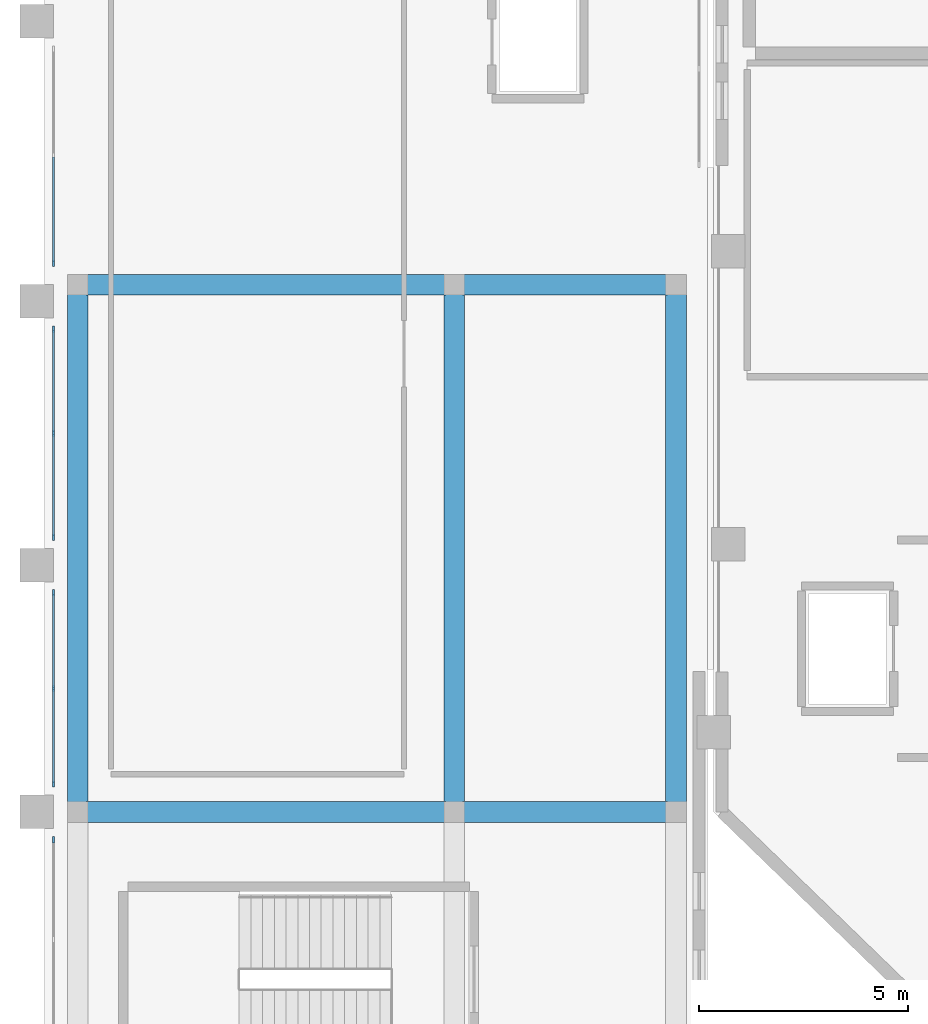
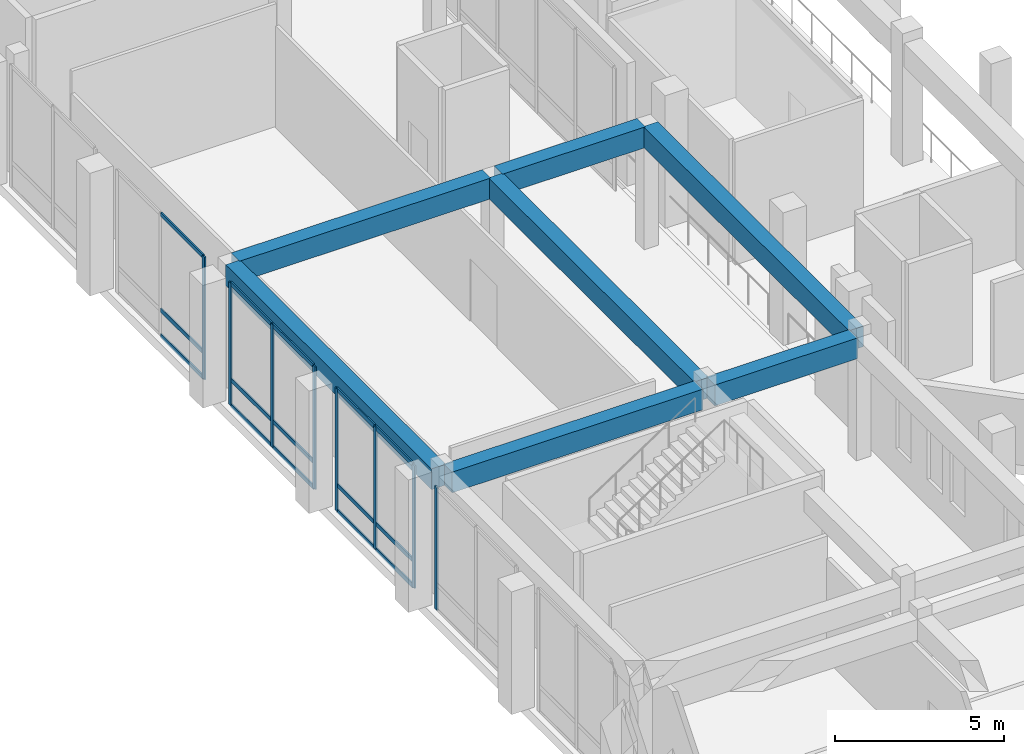
# One storey, part 10 of 79: 23 members, 7 beams, 4 elements without a shape of their own.
"""IFC4 building model written with IfcOpenShell, lengths in metres."""

import ifcopenshell
import ifcopenshell.guid

model = None  # the IFC model being written
_history = None  # IfcOwnerHistory: only IFC2X3 demands one
_inside = {}  # id of a spatial element -> (the spatial element, [elements in it])
_under = {}  # id of a project, library or spatial element -> (it, [spatial elements below it])
_declared = {}  # id of a project -> (the project, [libraries it declares])
_typed = {}  # id of a type object -> (the type object, [elements of that type])
_made_of = {}  # id of a material, layer set ... -> (it, [elements and type objects made of it])


def new_model(schema):
    """Start an empty IFC model of exactly this schema.

    Asked for "IFC4X3", IfcOpenShell would pick the latest addendum, in which some entities
    have other attributes; the version numbers below select the first issue.
    IFC2X3 requires an IfcOwnerHistory on every rooted entity: one is made here for all.
    """
    global model, _history
    if schema == "IFC4X3":
        model = ifcopenshell.file(schema_version=(4, 3, 0, 0))
    else:
        model = ifcopenshell.file(schema=schema)
    _inside.clear()
    _under.clear()
    _declared.clear()
    _typed.clear()
    _made_of.clear()
    _history = None
    if model.schema == "IFC2X3":
        org = make("IfcOrganization", Name="unknown")
        user = make(
            "IfcPersonAndOrganization",
            ThePerson=make("IfcPerson", FamilyName="unknown"),
            TheOrganization=org,
        )
        app = make(
            "IfcApplication",
            ApplicationDeveloper=org,
            Version="unknown",
            ApplicationFullName="unknown",
            ApplicationIdentifier="unknown",
        )
        _history = make(
            "IfcOwnerHistory",
            OwningUser=user,
            OwningApplication=app,
            ChangeAction="ADDED",
            CreationDate=0,
        )
    return model


def make(cls, **values):
    """One entity of the class cls with the attributes given. An attribute that is None is left unset."""
    return model.create_entity(
        cls, **{name: value for name, value in values.items() if value is not None}
    )


def rooted(cls, **values):
    """An entity with a GlobalId (a new one), such as an element, a storey or a relation."""
    return make(cls, GlobalId=ifcopenshell.guid.new(), OwnerHistory=_history, **values)


def si_unit(unit_type, name, prefix=None):
    """IfcSIUnit, for example si_unit("LENGTHUNIT", "METRE", prefix="MILLI")."""
    return make("IfcSIUnit", UnitType=unit_type, Prefix=prefix, Name=name)


def derived_unit(unit_type, elements):
    """IfcDerivedUnit: a product of units, each with its exponent."""
    return make(
        "IfcDerivedUnit",
        Elements=[
            make("IfcDerivedUnitElement", Unit=unit, Exponent=power)
            for unit, power in elements
        ],
        UnitType=unit_type,
    )


def assignment(units):
    """IfcUnitAssignment: the units of a project."""
    return None if units is None else make("IfcUnitAssignment", Units=units)


def point(xyz):
    """IfcCartesianPoint."""
    return None if xyz is None else make("IfcCartesianPoint", Coordinates=xyz)


def direction(xyz):
    """IfcDirection."""
    return None if xyz is None else make("IfcDirection", DirectionRatios=xyz)


def frame(location, z_axis=None, x_axis=None):
    """IfcAxis2Placement3D, a coordinate frame: its origin and axes. An axis left out is left unset."""
    return make(
        "IfcAxis2Placement3D",
        Location=point(location),
        Axis=direction(z_axis),
        RefDirection=direction(x_axis),
    )


def frame_2d(location, x_axis=None):
    """IfcAxis2Placement2D, a coordinate frame in the plane: its origin and x axis."""
    return make(
        "IfcAxis2Placement2D", Location=point(location), RefDirection=direction(x_axis)
    )


def origin():
    """The frame at (0, 0, 0) with its axes left unset."""
    return frame((0.0, 0.0, 0.0))


def origin_2d():
    """The frame at (0, 0) in the plane with its x axis left unset."""
    return frame_2d((0.0, 0.0))


def place(relative_to, where):
    """IfcLocalPlacement: puts the frame where relative to a parent placement (None: the world)."""
    return make(
        "IfcLocalPlacement", PlacementRelTo=relative_to, RelativePlacement=where
    )


def context(
    kind, dimensions, precision=None, world=None, true_north=None, identifier=None
):
    """IfcGeometricRepresentationContext, for example the 3D "Model" context."""
    return make(
        "IfcGeometricRepresentationContext",
        ContextIdentifier=identifier,
        ContextType=kind,
        CoordinateSpaceDimension=dimensions,
        Precision=precision,
        WorldCoordinateSystem=world,
        TrueNorth=true_north,
    )


def subcontext(parent, identifier, kind, view, scale=None):
    """IfcGeometricRepresentationSubContext, for example "Body" below "Model"."""
    return make(
        "IfcGeometricRepresentationSubContext",
        ContextIdentifier=identifier,
        ContextType=kind,
        ParentContext=parent,
        TargetScale=scale,
        TargetView=view,
    )


def project(units=None, contexts=None):
    """IfcProject with its units and contexts."""
    return rooted(
        "IfcProject",
        Name="project",
        RepresentationContexts=contexts,
        UnitsInContext=assignment(units),
    )


def spatial(cls, under=None, at=None, **own):
    """A site, building, storey or space (cls), placed at a placement, below another one or the project."""
    s = rooted(cls, ObjectPlacement=at, **own)
    if under is not None:
        _under.setdefault(under.id(), (under, []))[1].append(s)
    return s


def profile(cls, at=None, kind="AREA", **sizes):
    """A parametric profile (cls). Its sizes go by their IFC names, for example OverallWidth=200.0."""
    return make(cls, ProfileType=kind, Position=at, **sizes)


def rectangle(**sizes):
    """IfcRectangleProfileDef."""
    return profile("IfcRectangleProfileDef", **sizes)


def extrude(swept, where, along, depth):
    """IfcExtrudedAreaSolid: the profile swept, set in the frame where, extruded along a direction by depth."""
    return make(
        "IfcExtrudedAreaSolid",
        SweptArea=swept,
        Position=where,
        ExtrudedDirection=direction(along),
        Depth=depth,
    )


def shape(context_of_items, identifier, shape_type, items):
    """IfcShapeRepresentation: the items that make up one representation, for example the "Body"."""
    return make(
        "IfcShapeRepresentation",
        ContextOfItems=context_of_items,
        RepresentationIdentifier=identifier,
        RepresentationType=shape_type,
        Items=items,
    )


def material(Name=None, Category=None):
    """IfcMaterial."""
    return make("IfcMaterial", Name=Name, Category=Category)


def layer(
    of_material, thickness, ventilated=None, Name=None, Category=None, Priority=None
):
    """IfcMaterialLayer: one layer of a wall or slab, of a material (None: an air gap)."""
    return make(
        "IfcMaterialLayer",
        Material=of_material,
        LayerThickness=thickness,
        IsVentilated=ventilated,
        Name=Name,
        Category=Category,
        Priority=Priority,
    )


def layer_set(layers, Name=None):
    """IfcMaterialLayerSet."""
    return make("IfcMaterialLayerSet", MaterialLayers=layers, LayerSetName=Name)


def material_profile(
    of_material, cross_section, Name=None, Category=None, Priority=None
):
    """IfcMaterialProfile: a cross section and its material."""
    return make(
        "IfcMaterialProfile",
        Name=Name,
        Material=of_material,
        Profile=cross_section,
        Priority=Priority,
        Category=Category,
    )


def profile_set(profiles, Name=None, composite=None):
    """IfcMaterialProfileSet."""
    return make(
        "IfcMaterialProfileSet",
        Name=Name,
        MaterialProfiles=profiles,
        CompositeProfile=composite,
    )


def made_of(thing, what):
    """Note that an element or type object is made of a material, layer set ...; save() writes the relation."""
    if what is not None:
        _made_of.setdefault(what.id(), (what, []))[1].append(thing)
    return thing


def type_object(cls, material=None, **own):
    """A type object (cls), such as IfcWallType, which elements share."""
    return made_of(rooted(cls, **own), material)


def element(
    cls,
    number,
    at=None,
    inside=None,
    cuts=None,
    type_object=None,
    material=None,
    context=None,
    identifier="Body",
    shape_type=None,
    held_by="IfcProductDefinitionShape",
    body=None,
    shapes=None,
    **own,
):
    """One element of the class cls, such as IfcWall. Its Tag is "e" and its number.

    at: its placement. inside: the storey or other place that contains it. cuts: it is an
    opening in that element (IfcRelVoidsElement). A single representation is given by context,
    identifier, shape_type and body (its items); several are given by shapes. held_by: the class
    of the entity that holds the representations. save() writes the other relations.
    """
    e = rooted(cls, Tag="e%d" % number, ObjectPlacement=at, **own)
    if body is not None:
        shapes = [shape(context, identifier, shape_type, body)]
    if shapes is not None:
        e.Representation = make(held_by, Representations=shapes)
    if inside is not None:
        _inside.setdefault(inside.id(), (inside, []))[1].append(e)
    if cuts is not None:
        rooted(
            "IfcRelVoidsElement", RelatingBuildingElement=cuts, RelatedOpeningElement=e
        )
    if type_object is not None:
        _typed.setdefault(type_object.id(), (type_object, []))[1].append(e)
    return made_of(e, material)


def aggregate(whole, parts):
    """IfcRelAggregates: a whole, such as a stair, and the parts it consists of."""
    return rooted("IfcRelAggregates", RelatingObject=whole, RelatedObjects=parts)


def save(model, path):
    """Write the relations noted so far, then the file.

    IfcRelAggregates (storeys below a building ...), IfcRelContainedInSpatialStructure (elements
    in a storey), IfcRelDefinesByType, IfcRelAssociatesMaterial and IfcRelDeclares: one each for
    every whole, place, type object, material and project.
    """
    for whole, parts in _under.values():
        aggregate(whole, parts)
    for where, things in _inside.values():
        rooted(
            "IfcRelContainedInSpatialStructure",
            RelatedElements=things,
            RelatingStructure=where,
        )
    for kind, things in _typed.values():
        rooted("IfcRelDefinesByType", RelatedObjects=things, RelatingType=kind)
    for what, things in _made_of.values():
        rooted("IfcRelAssociatesMaterial", RelatedObjects=things, RelatingMaterial=what)
    for by, libraries in _declared.values():
        rooted("IfcRelDeclares", RelatingContext=by, RelatedDefinitions=libraries)
    model.write(path)


model = new_model("IFC4")

# Units and contexts
model_context = context("Model", 3, precision=1e-05, world=origin(), true_north=direction((0.0, 1.0)))
body_context = subcontext(model_context, "Body", "Model", "MODEL_VIEW")
ifc_project = project(units=[si_unit("LENGTHUNIT", "METRE"), si_unit("AREAUNIT", "SQUARE_METRE"), si_unit("VOLUMEUNIT", "CUBIC_METRE"), si_unit("PLANEANGLEUNIT", "RADIAN"), si_unit("MASSUNIT", "GRAM", prefix="KILO"), derived_unit("THERMALTRANSMITTANCEUNIT", [(si_unit("MASSUNIT", "GRAM", prefix="KILO"), 1), (si_unit("TIMEUNIT", "SECOND"), -3), (si_unit("THERMODYNAMICTEMPERATUREUNIT", "KELVIN"), -1)])], contexts=[model_context])

# Site, building, storey
site_placement = place(None, origin())
site = spatial("IfcSite", under=ifc_project, at=site_placement, CompositionType="ELEMENT")
building_placement = place(site_placement, origin())
building = spatial("IfcBuilding", under=site, at=building_placement, Name="Valcora Ridge Arena", CompositionType="ELEMENT")
storey_placement = place(building_placement, frame((0.0, 0.0, 16.199951171875)))
storey = spatial("IfcBuildingStorey", under=building, at=storey_placement, Name="L03", CompositionType="ELEMENT", Elevation=16.199951171875)

# Beams
ifc_material_1 = material(Name="Concrete C40/50", Category="concrete")
ifc_material_profile_1 = material_profile(ifc_material_1, rectangle(XDim=0.5, YDim=0.75, at=origin_2d()), Name="RC 500x750")
ifc_profile_set_1 = profile_set([ifc_material_profile_1], Name="Concrete C40/50")
beam_type_1 = type_object("IfcBeamType", Name="TY-BEAM-B-RC500-X", PredefinedType="BEAM", material=ifc_profile_set_1)
beam_1_placement = place(storey_placement, frame((1.0, 32.60009765625, 4.06494140625), z_axis=(1.0, 0.0, 0.0), x_axis=(0.0, 1.0, 0.0)))
element("IfcBeam", 1, at=beam_1_placement, inside=storey, type_object=beam_type_1, Name="B-RC500-X BEM-B-RC500-X-0085", PredefinedType="BEAM", context=body_context, shape_type="SweptSolid", body=[
    extrude(rectangle(XDim=0.5, YDim=0.75, at=origin_2d()), origin(), (0.0, 0.0, 1.0), 8.60009765625),
])
beam_2_placement = place(storey_placement, frame((10.0, 32.60009765625, 4.06494140625), z_axis=(1.0, 0.0, 0.0), x_axis=(0.0, 1.0, 0.0)))
element("IfcBeam", 2, at=beam_2_placement, inside=storey, type_object=beam_type_1, Name="B-RC500-X BEM-B-RC500-X-0086", PredefinedType="BEAM", context=body_context, shape_type="SweptSolid", body=[
    extrude(rectangle(XDim=0.5, YDim=0.75, at=origin_2d()), origin(), (0.0, 0.0, 1.0), 4.89990234375),
])
beam_3_placement = place(storey_placement, frame((1.0, 45.199951171875, 4.06494140625), z_axis=(1.0, 0.0, 0.0), x_axis=(0.0, 1.0, 0.0)))
element("IfcBeam", 3, at=beam_3_placement, inside=storey, type_object=beam_type_1, Name="B-RC500-X BEM-B-RC500-X-0087", PredefinedType="BEAM", context=body_context, shape_type="SweptSolid", body=[
    extrude(rectangle(XDim=0.5, YDim=0.75, at=origin_2d()), origin(), (0.0, 0.0, 1.0), 8.60009765625),
])
beam_4_placement = place(storey_placement, frame((10.0, 45.199951171875, 4.06494140625), z_axis=(1.0, 0.0, 0.0), x_axis=(0.0, 1.0, 0.0)))
element("IfcBeam", 4, at=beam_4_placement, inside=storey, type_object=beam_type_1, Name="B-RC500-X BEM-B-RC500-X-0088", PredefinedType="BEAM", context=body_context, shape_type="SweptSolid", body=[
    extrude(rectangle(XDim=0.5, YDim=0.75, at=origin_2d()), origin(), (0.0, 0.0, 1.0), 4.89990234375),
])
ifc_material_profile_2 = material_profile(ifc_material_1, rectangle(XDim=0.5, YDim=0.75, at=origin_2d()), Name="RC 500x750")
ifc_profile_set_2 = profile_set([ifc_material_profile_2], Name="Concrete C40/50")
beam_type_2 = type_object("IfcBeamType", Name="TY-BEAM-B-RC500-Y", PredefinedType="BEAM", material=ifc_profile_set_2)
for number, where, z_axis, x_axis, name in (
    (5, (0.800048828125, 32.800048828125, 4.06494140625), (0.0, 1.0, 0.0), (-1.0, 0.0, 0.0), "B-RC500-Y BEM-B-RC500-Y-0095"),
    (6, (9.800048828125, 32.800048828125, 4.06494140625), (0.0, 1.0, 0.0), (-1.0, 0.0, 0.0), "B-RC500-Y BEM-B-RC500-Y-0099"),
    (7, (15.10009765625, 32.800048828125, 4.06494140625), (0.0, 1.0, 0.0), (-1.0, 0.0, 0.0), "B-RC500-Y BEM-B-RC500-Y-0102"),
):
    element("IfcBeam", number, at=place(storey_placement, frame(where, z_axis=z_axis, x_axis=x_axis)), inside=storey, type_object=beam_type_2, Name=name, PredefinedType="BEAM", context=body_context, shape_type="SweptSolid", body=[
        extrude(rectangle(XDim=0.5, YDim=0.75, at=origin_2d()), origin(), (0.0, 0.0, 1.0), 12.199951171875),
    ])

# Curtain wall, member
ifc_material_2 = material(Name="Anodised dark bronze architectural aluminium 6063-T6", Category="aluminium")
ifc_layer_1 = layer(ifc_material_2, 0.14990234375, Name="Anodised dark bronze architectural aluminium 6063-T6")
ifc_layer_set_1 = layer_set([ifc_layer_1], Name="Anodised dark bronze architectural aluminium 6063-T6")
curtain_wall_type_1 = type_object("IfcCurtainWallType", Name="TY-CURTAINWALL-CW-V4-CLUB-048X44", PredefinedType="NOTDEFINED", material=ifc_layer_set_1)
curtain_wall_1_placement = place(storey_placement, origin())
curtain_wall_1 = element("IfcCurtainWall", 8, at=curtain_wall_1_placement, inside=storey, type_object=curtain_wall_type_1, Name="CW-V4-CLUB-048X44 CW-0286", PredefinedType="NOTDEFINED")
ifc_material_profile_3 = material_profile(ifc_material_2, rectangle(XDim=0.050048828125, YDim=0.14990234375, at=origin_2d()), Name="ALU MULLION 50x150")
ifc_profile_set_3 = profile_set([ifc_material_profile_3], Name="Anodised dark bronze architectural aluminium 6063-T6")
member_type_1 = type_object("IfcMemberType", Name="TY-MEM-CWM-50x150", PredefinedType="MULLION", material=ifc_profile_set_3)
member_1_placement = place(storey_placement, frame((0.219970703125, 31.93505859375, 0.0), z_axis=(0.0, 0.0, 1.0), x_axis=(-1.0, 0.0, 0.0)))
member_1 = element("IfcMember", 9, at=member_1_placement, type_object=member_type_1, Name="CW-0286/CWM-50x150/M02", PredefinedType="MULLION", context=body_context, shape_type="SweptSolid", body=[
    extrude(rectangle(XDim=0.050048828125, YDim=0.14990234375, at=origin_2d()), origin(), (0.0, 0.0, 1.0), 4.43994140625),
])
aggregate(curtain_wall_1, [member_1])

# Curtain wall, members
ifc_layer_2 = layer(ifc_material_2, 0.14990234375, Name="Anodised dark bronze architectural aluminium 6063-T6")
ifc_layer_set_2 = layer_set([ifc_layer_2], Name="Anodised dark bronze architectural aluminium 6063-T6")
curtain_wall_type_2 = type_object("IfcCurtainWallType", Name="TY-CURTAINWALL-CW-V4-CLUB-046X44", PredefinedType="NOTDEFINED", material=ifc_layer_set_2)
curtain_wall_2_placement = place(storey_placement, origin())
curtain_wall_2 = element("IfcCurtainWall", 10, at=curtain_wall_2_placement, inside=storey, type_object=curtain_wall_type_2, Name="CW-V4-CLUB-046X44 CW-0287", PredefinedType="NOTDEFINED")
member_2_placement = place(storey_placement, frame((0.219970703125, 33.264892578125, 0.0), z_axis=(0.0, 0.0, 1.0), x_axis=(-1.0, 0.0, 0.0)))
member_2 = element("IfcMember", 11, at=member_2_placement, type_object=member_type_1, Name="CW-0287/CWM-50x150/M00", PredefinedType="MULLION", context=body_context, shape_type="SweptSolid", body=[
    extrude(rectangle(XDim=0.050048828125, YDim=0.14990234375, at=origin_2d()), origin(), (0.0, 0.0, 1.0), 4.43994140625),
])
member_3_placement = place(storey_placement, frame((0.219970703125, 35.550048828125, 0.0), z_axis=(0.0, 0.0, 1.0), x_axis=(-1.0, 0.0, 0.0)))
member_3 = element("IfcMember", 12, at=member_3_placement, type_object=member_type_1, Name="CW-0287/CWM-50x150/M01", PredefinedType="MULLION", context=body_context, shape_type="SweptSolid", body=[
    extrude(rectangle(XDim=0.050048828125, YDim=0.14990234375, at=origin_2d()), origin(), (0.0, 0.0, 1.0), 4.43994140625),
])
member_4_placement = place(storey_placement, frame((0.219970703125, 37.8349609375, 0.0), z_axis=(0.0, 0.0, 1.0), x_axis=(-1.0, 0.0, 0.0)))
member_4 = element("IfcMember", 13, at=member_4_placement, type_object=member_type_1, Name="CW-0287/CWM-50x150/M02", PredefinedType="MULLION", context=body_context, shape_type="SweptSolid", body=[
    extrude(rectangle(XDim=0.050048828125, YDim=0.14990234375, at=origin_2d()), origin(), (0.0, 0.0, 1.0), 4.43994140625),
])

ifc_layer_3 = layer(ifc_material_2, 0.14990234375, Name="Anodised dark bronze architectural aluminium 6063-T6")
ifc_layer_set_3 = layer_set([ifc_layer_3], Name="Anodised dark bronze architectural aluminium 6063-T6")
curtain_wall_type_3 = type_object("IfcCurtainWallType", Name="TY-CURTAINWALL-CW-V4-CLUB-050X44", PredefinedType="NOTDEFINED", material=ifc_layer_set_3)
curtain_wall_3_placement = place(storey_placement, origin())
curtain_wall_3 = element("IfcCurtainWall", 14, at=curtain_wall_3_placement, inside=storey, type_object=curtain_wall_type_3, Name="CW-V4-CLUB-050X44 CW-0288", PredefinedType="NOTDEFINED")
member_5_placement = place(storey_placement, frame((0.219970703125, 39.1650390625, 0.0), z_axis=(0.0, 0.0, 1.0), x_axis=(-1.0, 0.0, 0.0)))
member_5 = element("IfcMember", 15, at=member_5_placement, type_object=member_type_1, Name="CW-0288/CWM-50x150/M00", PredefinedType="MULLION", context=body_context, shape_type="SweptSolid", body=[
    extrude(rectangle(XDim=0.050048828125, YDim=0.14990234375, at=origin_2d()), origin(), (0.0, 0.0, 1.0), 4.43994140625),
])
member_6_placement = place(storey_placement, frame((0.219970703125, 41.64990234375, 0.0), z_axis=(0.0, 0.0, 1.0), x_axis=(-1.0, 0.0, 0.0)))
member_6 = element("IfcMember", 16, at=member_6_placement, type_object=member_type_1, Name="CW-0288/CWM-50x150/M01", PredefinedType="MULLION", context=body_context, shape_type="SweptSolid", body=[
    extrude(rectangle(XDim=0.050048828125, YDim=0.14990234375, at=origin_2d()), origin(), (0.0, 0.0, 1.0), 4.43994140625),
])
member_7_placement = place(storey_placement, frame((0.219970703125, 44.135009765625, 0.0), z_axis=(0.0, 0.0, 1.0), x_axis=(-1.0, 0.0, 0.0)))
member_7 = element("IfcMember", 17, at=member_7_placement, type_object=member_type_1, Name="CW-0288/CWM-50x150/M02", PredefinedType="MULLION", context=body_context, shape_type="SweptSolid", body=[
    extrude(rectangle(XDim=0.050048828125, YDim=0.14990234375, at=origin_2d()), origin(), (0.0, 0.0, 1.0), 4.43994140625),
])

# Curtain wall, member
ifc_layer_4 = layer(ifc_material_2, 0.14990234375, Name="Anodised dark bronze architectural aluminium 6063-T6")
ifc_layer_set_4 = layer_set([ifc_layer_4], Name="Anodised dark bronze architectural aluminium 6063-T6")
curtain_wall_type_4 = type_object("IfcCurtainWallType", Name="TY-CURTAINWALL-CW-V4-CLUB-052X44", PredefinedType="NOTDEFINED", material=ifc_layer_set_4)
curtain_wall_4_placement = place(storey_placement, origin())
curtain_wall_4 = element("IfcCurtainWall", 18, at=curtain_wall_4_placement, inside=storey, type_object=curtain_wall_type_4, Name="CW-V4-CLUB-052X44 CW-0289", PredefinedType="NOTDEFINED")
member_8_placement = place(storey_placement, frame((0.219970703125, 45.715087890625, 0.0), z_axis=(0.0, 0.0, 1.0), x_axis=(-1.0, 0.0, 0.0)))
member_8 = element("IfcMember", 19, at=member_8_placement, type_object=member_type_1, Name="CW-0289/CWM-50x150/M00", PredefinedType="MULLION", context=body_context, shape_type="SweptSolid", body=[
    extrude(rectangle(XDim=0.050048828125, YDim=0.14990234375, at=origin_2d()), origin(), (0.0, 0.0, 1.0), 4.43994140625),
])

# Member
ifc_material_profile_4 = material_profile(ifc_material_2, rectangle(XDim=0.050048828125, YDim=0.14990234375, at=origin_2d()), Name="ALU TRANSOM 50x150")
ifc_profile_set_4 = profile_set([ifc_material_profile_4], Name="Anodised dark bronze architectural aluminium 6063-T6")
member_type_2 = type_object("IfcMemberType", Name="TY-MEM-CWT-50x150", PredefinedType="USERDEFINED", material=ifc_profile_set_4)
member_9_placement = place(storey_placement, frame((0.219970703125, 33.2900390625, 0.025146484375), z_axis=(0.0, 1.0, 0.0), x_axis=(-1.0, 0.0, 0.0)))
member_9 = element("IfcMember", 20, at=member_9_placement, type_object=member_type_2, Name="CW-0287/CWT-50x150/T00-00", ObjectType="TRANSOM", PredefinedType="USERDEFINED", context=body_context, shape_type="SweptSolid", body=[
    extrude(rectangle(XDim=0.050048828125, YDim=0.14990234375, at=origin_2d()), origin(), (0.0, 0.0, 1.0), 2.23486328125),
])

member_10_placement = place(storey_placement, frame((0.219970703125, 33.2900390625, 0.949951171875), z_axis=(0.0, 1.0, 0.0), x_axis=(-1.0, 0.0, 0.0)))
member_10 = element("IfcMember", 21, at=member_10_placement, type_object=member_type_2, Name="CW-0287/CWT-50x150/T00-01", ObjectType="TRANSOM", PredefinedType="USERDEFINED", context=body_context, shape_type="SweptSolid", body=[
    extrude(rectangle(XDim=0.050048828125, YDim=0.14990234375, at=origin_2d()), origin(), (0.0, 0.0, 1.0), 2.23486328125),
])

member_11_placement = place(storey_placement, frame((0.219970703125, 33.2900390625, 4.4150390625), z_axis=(0.0, 1.0, 0.0), x_axis=(-1.0, 0.0, 0.0)))
member_11 = element("IfcMember", 22, at=member_11_placement, type_object=member_type_2, Name="CW-0287/CWT-50x150/T00-02", ObjectType="TRANSOM", PredefinedType="USERDEFINED", context=body_context, shape_type="SweptSolid", body=[
    extrude(rectangle(XDim=0.050048828125, YDim=0.14990234375, at=origin_2d()), origin(), (0.0, 0.0, 1.0), 2.23486328125),
])

member_12_placement = place(storey_placement, frame((0.219970703125, 35.574951171875, 0.025146484375), z_axis=(0.0, 1.0, 0.0), x_axis=(-1.0, 0.0, 0.0)))
member_12 = element("IfcMember", 23, at=member_12_placement, type_object=member_type_2, Name="CW-0287/CWT-50x150/T01-00", ObjectType="TRANSOM", PredefinedType="USERDEFINED", context=body_context, shape_type="SweptSolid", body=[
    extrude(rectangle(XDim=0.050048828125, YDim=0.14990234375, at=origin_2d()), origin(), (0.0, 0.0, 1.0), 2.235107421875),
])

member_13_placement = place(storey_placement, frame((0.219970703125, 35.574951171875, 0.949951171875), z_axis=(0.0, 1.0, 0.0), x_axis=(-1.0, 0.0, 0.0)))
member_13 = element("IfcMember", 24, at=member_13_placement, type_object=member_type_2, Name="CW-0287/CWT-50x150/T01-01", ObjectType="TRANSOM", PredefinedType="USERDEFINED", context=body_context, shape_type="SweptSolid", body=[
    extrude(rectangle(XDim=0.050048828125, YDim=0.14990234375, at=origin_2d()), origin(), (0.0, 0.0, 1.0), 2.235107421875),
])

member_14_placement = place(storey_placement, frame((0.219970703125, 35.574951171875, 4.4150390625), z_axis=(0.0, 1.0, 0.0), x_axis=(-1.0, 0.0, 0.0)))
member_14 = element("IfcMember", 25, at=member_14_placement, type_object=member_type_2, Name="CW-0287/CWT-50x150/T01-02", ObjectType="TRANSOM", PredefinedType="USERDEFINED", context=body_context, shape_type="SweptSolid", body=[
    extrude(rectangle(XDim=0.050048828125, YDim=0.14990234375, at=origin_2d()), origin(), (0.0, 0.0, 1.0), 2.235107421875),
])

aggregate(curtain_wall_2, [member_2, member_3, member_4, member_9, member_10, member_11, member_12, member_13, member_14])

member_15_placement = place(storey_placement, frame((0.219970703125, 39.18994140625, 0.025146484375), z_axis=(0.0, 1.0, 0.0), x_axis=(-1.0, 0.0, 0.0)))
member_15 = element("IfcMember", 26, at=member_15_placement, type_object=member_type_2, Name="CW-0288/CWT-50x150/T00-00", ObjectType="TRANSOM", PredefinedType="USERDEFINED", context=body_context, shape_type="SweptSolid", body=[
    extrude(rectangle(XDim=0.050048828125, YDim=0.14990234375, at=origin_2d()), origin(), (0.0, 0.0, 1.0), 2.43505859375),
])

member_16_placement = place(storey_placement, frame((0.219970703125, 39.18994140625, 0.949951171875), z_axis=(0.0, 1.0, 0.0), x_axis=(-1.0, 0.0, 0.0)))
member_16 = element("IfcMember", 27, at=member_16_placement, type_object=member_type_2, Name="CW-0288/CWT-50x150/T00-01", ObjectType="TRANSOM", PredefinedType="USERDEFINED", context=body_context, shape_type="SweptSolid", body=[
    extrude(rectangle(XDim=0.050048828125, YDim=0.14990234375, at=origin_2d()), origin(), (0.0, 0.0, 1.0), 2.43505859375),
])

member_17_placement = place(storey_placement, frame((0.219970703125, 39.18994140625, 4.4150390625), z_axis=(0.0, 1.0, 0.0), x_axis=(-1.0, 0.0, 0.0)))
member_17 = element("IfcMember", 28, at=member_17_placement, type_object=member_type_2, Name="CW-0288/CWT-50x150/T00-02", ObjectType="TRANSOM", PredefinedType="USERDEFINED", context=body_context, shape_type="SweptSolid", body=[
    extrude(rectangle(XDim=0.050048828125, YDim=0.14990234375, at=origin_2d()), origin(), (0.0, 0.0, 1.0), 2.43505859375),
])

member_18_placement = place(storey_placement, frame((0.219970703125, 41.675048828125, 0.025146484375), z_axis=(0.0, 1.0, 0.0), x_axis=(-1.0, 0.0, 0.0)))
member_18 = element("IfcMember", 29, at=member_18_placement, type_object=member_type_2, Name="CW-0288/CWT-50x150/T01-00", ObjectType="TRANSOM", PredefinedType="USERDEFINED", context=body_context, shape_type="SweptSolid", body=[
    extrude(rectangle(XDim=0.050048828125, YDim=0.14990234375, at=origin_2d()), origin(), (0.0, 0.0, 1.0), 2.43505859375),
])

member_19_placement = place(storey_placement, frame((0.219970703125, 41.675048828125, 0.949951171875), z_axis=(0.0, 1.0, 0.0), x_axis=(-1.0, 0.0, 0.0)))
member_19 = element("IfcMember", 30, at=member_19_placement, type_object=member_type_2, Name="CW-0288/CWT-50x150/T01-01", ObjectType="TRANSOM", PredefinedType="USERDEFINED", context=body_context, shape_type="SweptSolid", body=[
    extrude(rectangle(XDim=0.050048828125, YDim=0.14990234375, at=origin_2d()), origin(), (0.0, 0.0, 1.0), 2.43505859375),
])

member_20_placement = place(storey_placement, frame((0.219970703125, 41.675048828125, 4.4150390625), z_axis=(0.0, 1.0, 0.0), x_axis=(-1.0, 0.0, 0.0)))
member_20 = element("IfcMember", 31, at=member_20_placement, type_object=member_type_2, Name="CW-0288/CWT-50x150/T01-02", ObjectType="TRANSOM", PredefinedType="USERDEFINED", context=body_context, shape_type="SweptSolid", body=[
    extrude(rectangle(XDim=0.050048828125, YDim=0.14990234375, at=origin_2d()), origin(), (0.0, 0.0, 1.0), 2.43505859375),
])

aggregate(curtain_wall_3, [member_5, member_6, member_7, member_15, member_16, member_17, member_18, member_19, member_20])

member_21_placement = place(storey_placement, frame((0.219970703125, 45.739990234375, 0.025146484375), z_axis=(0.0, 1.0, 0.0), x_axis=(-1.0, 0.0, 0.0)))
member_21 = element("IfcMember", 32, at=member_21_placement, type_object=member_type_2, Name="CW-0289/CWT-50x150/T00-00", ObjectType="TRANSOM", PredefinedType="USERDEFINED", context=body_context, shape_type="SweptSolid", body=[
    extrude(rectangle(XDim=0.050048828125, YDim=0.14990234375, at=origin_2d()), origin(), (0.0, 0.0, 1.0), 2.510009765625),
])

member_22_placement = place(storey_placement, frame((0.219970703125, 45.739990234375, 0.949951171875), z_axis=(0.0, 1.0, 0.0), x_axis=(-1.0, 0.0, 0.0)))
member_22 = element("IfcMember", 33, at=member_22_placement, type_object=member_type_2, Name="CW-0289/CWT-50x150/T00-01", ObjectType="TRANSOM", PredefinedType="USERDEFINED", context=body_context, shape_type="SweptSolid", body=[
    extrude(rectangle(XDim=0.050048828125, YDim=0.14990234375, at=origin_2d()), origin(), (0.0, 0.0, 1.0), 2.510009765625),
])

member_23_placement = place(storey_placement, frame((0.219970703125, 45.739990234375, 4.4150390625), z_axis=(0.0, 1.0, 0.0), x_axis=(-1.0, 0.0, 0.0)))
member_23 = element("IfcMember", 34, at=member_23_placement, type_object=member_type_2, Name="CW-0289/CWT-50x150/T00-02", ObjectType="TRANSOM", PredefinedType="USERDEFINED", context=body_context, shape_type="SweptSolid", body=[
    extrude(rectangle(XDim=0.050048828125, YDim=0.14990234375, at=origin_2d()), origin(), (0.0, 0.0, 1.0), 2.510009765625),
])

aggregate(curtain_wall_4, [member_8, member_21, member_22, member_23])

save(model, "model.ifc")
